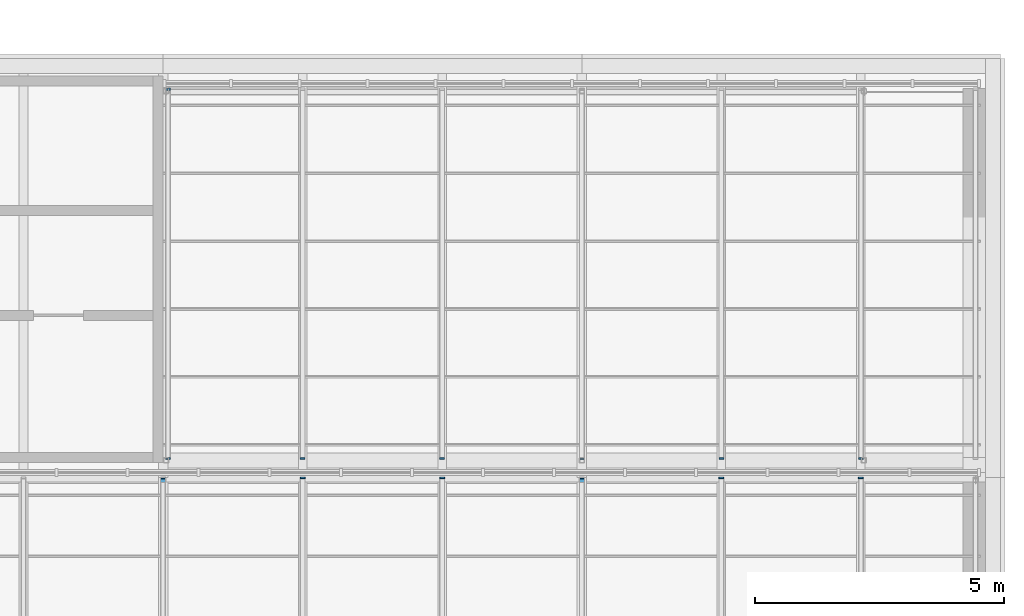
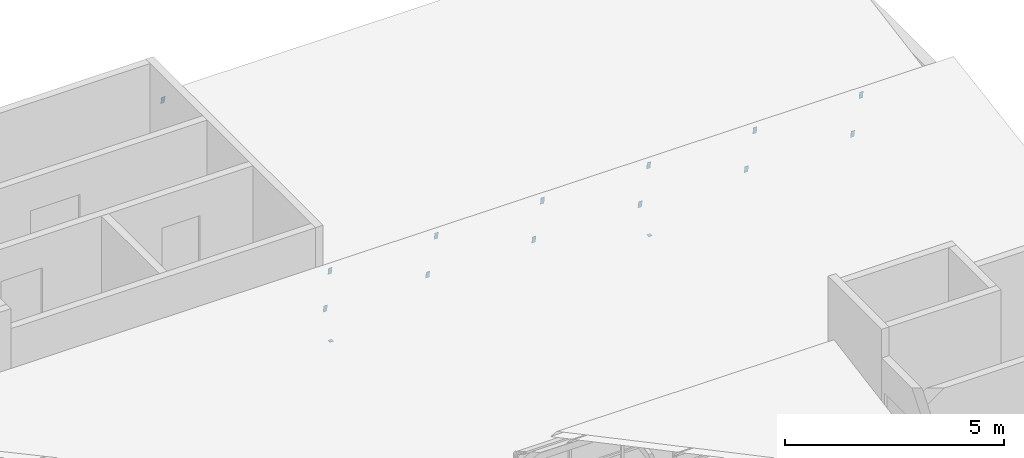
# One storey, part 29 of 33: 15 discrete accessories.
"""IFC4 building model written with IfcOpenShell, lengths in metres."""

from ifc_helpers import new_model, si_unit, direction, frame, origin, origin_2d, place, context, subcontext, project, spatial, rectangle, extrude, material, material_profile, profile_set, type_object, element, save


model = new_model("IFC4")

# Units and contexts
model_context = context("Model", 3, precision=1e-05, world=origin(), true_north=direction((0.0, 1.0)))
body_context = subcontext(model_context, "Body", "Model", "MODEL_VIEW")
ifc_project = project(units=[si_unit("LENGTHUNIT", "METRE"), si_unit("AREAUNIT", "SQUARE_METRE"), si_unit("VOLUMEUNIT", "CUBIC_METRE"), si_unit("PLANEANGLEUNIT", "RADIAN"), si_unit("MASSUNIT", "GRAM", prefix="KILO")], contexts=[model_context])

# Site, building, storey
site_placement = place(None, origin())
site = spatial("IfcSite", under=ifc_project, at=site_placement, CompositionType="ELEMENT")
building_placement = place(site_placement, origin())
building = spatial("IfcBuilding", under=site, at=building_placement, Name="Ardhachandra Cancer Care Centre", CompositionType="ELEMENT")
storey_placement = place(building_placement, frame((0.0, 0.0, 27.0)))
storey = spatial("IfcBuildingStorey", under=building, at=storey_placement, Name="Roof", CompositionType="ELEMENT", Elevation=27.0)

# Discrete accessories
ifc_material_1 = material(Name="Galvanised flat steel (Steel E250 (IS 2062))", Category="steel")
ifc_material_profile_1 = material_profile(ifc_material_1, rectangle(XDim=0.10009765625, YDim=0.199951171875, at=origin_2d()), Name="Rafter end plate 200 x 100 x 8")
ifc_profile_set_1 = profile_set([ifc_material_profile_1], Name="Galvanised flat steel (Steel E250 (IS 2062))")
discrete_accessory_type_1 = type_object("IfcDiscreteAccessoryType", Name="Rafter end plate 200 x 100 x 8", PredefinedType="BRACKET", material=ifc_profile_set_1)
for number, where, z_axis, x_axis, name in (
    (1, (128.39990234375, 96.583740234375, 1.918701171875), (0.0, 0.988012033751, 0.154376880274), (-1.0, 0.0, 0.0), "Rafter end plate ST2a.7.2"),
    (2, (131.199951171875, 96.583740234375, 1.918701171875), (0.0, 0.988012033751, 0.154376880274), (-1.0, 0.0, 0.0), "Rafter end plate ST2a.8.2"),
    (3, (134.0, 96.583740234375, 1.918701171875), (0.0, 0.988012033751, 0.154376880274), (-1.0, 0.0, 0.0), "Rafter end plate ST2a.9.2"),
    (4, (136.800048828125, 96.583740234375, 1.918701171875), (0.0, 0.988012033751, 0.154376880274), (-1.0, 0.0, 0.0), "Rafter end plate ST2a.10.2"),
    (5, (139.60009765625, 96.583740234375, 1.918701171875), (0.0, 0.988012033751, 0.154376880274), (-1.0, 0.0, 0.0), "Rafter end plate ST2a.11.2"),
    (6, (142.39990234375, 96.583740234375, 1.918701171875), (0.0, 0.988012033751, 0.154376880274), (-1.0, 0.0, 0.0), "Rafter end plate ST2a.12.2"),
):
    element("IfcDiscreteAccessory", number, at=place(storey_placement, frame(where, z_axis=z_axis, x_axis=x_axis)), inside=storey, type_object=discrete_accessory_type_1, Name=name, PredefinedType="BRACKET", context=body_context, shape_type="SweptSolid", body=[
        extrude(rectangle(XDim=0.10009765625, YDim=0.199951171875, at=origin_2d()), origin(), (0.0, 0.0, 1.0), 0.0078125),
    ])
discrete_accessory_1_placement = place(storey_placement, frame((128.5, 96.982421875, 0.598388671875), z_axis=(0.0, -0.982872186934, -0.18428853505), x_axis=(1.0, 0.0, 0.0)))
element("IfcDiscreteAccessory", 7, at=discrete_accessory_1_placement, inside=storey, type_object=discrete_accessory_type_1, Name="Rafter end plate ST3a.1.1", PredefinedType="BRACKET", context=body_context, shape_type="SweptSolid", body=[
    extrude(rectangle(XDim=0.10009765625, YDim=0.199951171875, at=origin_2d()), origin(), (0.0, 0.0, 1.0), 0.008056640625),
])
discrete_accessory_2_placement = place(storey_placement, frame((128.5, 104.38232421875, 1.91845703125), z_axis=(0.0, 0.9838699101, 0.1788854382), x_axis=(-1.0, 0.0, 0.0)))
element("IfcDiscreteAccessory", 8, at=discrete_accessory_2_placement, inside=storey, type_object=discrete_accessory_type_1, Name="Rafter end plate ST3a.1.2", PredefinedType="BRACKET", context=body_context, shape_type="SweptSolid", body=[
    extrude(rectangle(XDim=0.10009765625, YDim=0.199951171875, at=origin_2d()), origin(), (0.0, 0.0, 1.0), 0.00830078125),
])
for number, where, z_axis, x_axis, name in (
    (9, (131.199951171875, 96.982421875, 0.598388671875), (0.0, -0.982872186934, -0.18428853505), (1.0, 0.0, 0.0), "Rafter end plate ST3a.2.1"),
    (10, (134.0, 96.982421875, 0.598388671875), (0.0, -0.982872186934, -0.18428853505), (1.0, 0.0, 0.0), "Rafter end plate ST3a.3.1"),
    (11, (136.800048828125, 96.982421875, 0.598388671875), (0.0, -0.982872186934, -0.18428853505), (1.0, 0.0, 0.0), "Rafter end plate ST3a.4.1"),
    (12, (139.60009765625, 96.982421875, 0.598388671875), (0.0, -0.982872186934, -0.18428853505), (1.0, 0.0, 0.0), "Rafter end plate ST3a.5.1"),
    (13, (142.39990234375, 96.982421875, 0.598388671875), (0.0, -0.982872186934, -0.18428853505), (1.0, 0.0, 0.0), "Rafter end plate ST3a.6.1"),
):
    element("IfcDiscreteAccessory", number, at=place(storey_placement, frame(where, z_axis=z_axis, x_axis=x_axis)), inside=storey, type_object=discrete_accessory_type_1, Name=name, PredefinedType="BRACKET", context=body_context, shape_type="SweptSolid", body=[
        extrude(rectangle(XDim=0.10009765625, YDim=0.199951171875, at=origin_2d()), origin(), (0.0, 0.0, 1.0), 0.008056640625),
    ])
ifc_material_2 = material(Name="Galvanised flat steel (Steel E250 (IS 2062))", Category="steel")
ifc_material_profile_2 = material_profile(ifc_material_2, rectangle(XDim=0.10009765625, YDim=0.10009765625, at=origin_2d()), Name="Ridge post foot plate 100 x 100 x 8")
ifc_profile_set_2 = profile_set([ifc_material_profile_2], Name="Galvanised flat steel (Steel E250 (IS 2062))")
discrete_accessory_type_2 = type_object("IfcDiscreteAccessoryType", Name="Ridge post foot plate 100 x 100 x 8", PredefinedType="BRACKET", material=ifc_profile_set_2)
for number, where, z_axis, x_axis, name in (
    (14, (128.39990234375, 96.550048828125, 0.0), (0.0, 0.0, -1.0), (1.0, 0.0, 0.0), "Ridge post foot plate ST2a.3"),
    (15, (136.800048828125, 96.550048828125, 0.0), (0.0, 0.0, -1.0), (1.0, 0.0, 0.0), "Ridge post foot plate ST2a.4"),
):
    element("IfcDiscreteAccessory", number, at=place(storey_placement, frame(where, z_axis=z_axis, x_axis=x_axis)), inside=storey, type_object=discrete_accessory_type_2, Name=name, PredefinedType="BRACKET", context=body_context, shape_type="SweptSolid", body=[
        extrude(rectangle(XDim=0.10009765625, YDim=0.10009765625, at=origin_2d()), origin(), (0.0, 0.0, 1.0), 0.008056640625),
    ])

save(model, "model.ifc")
